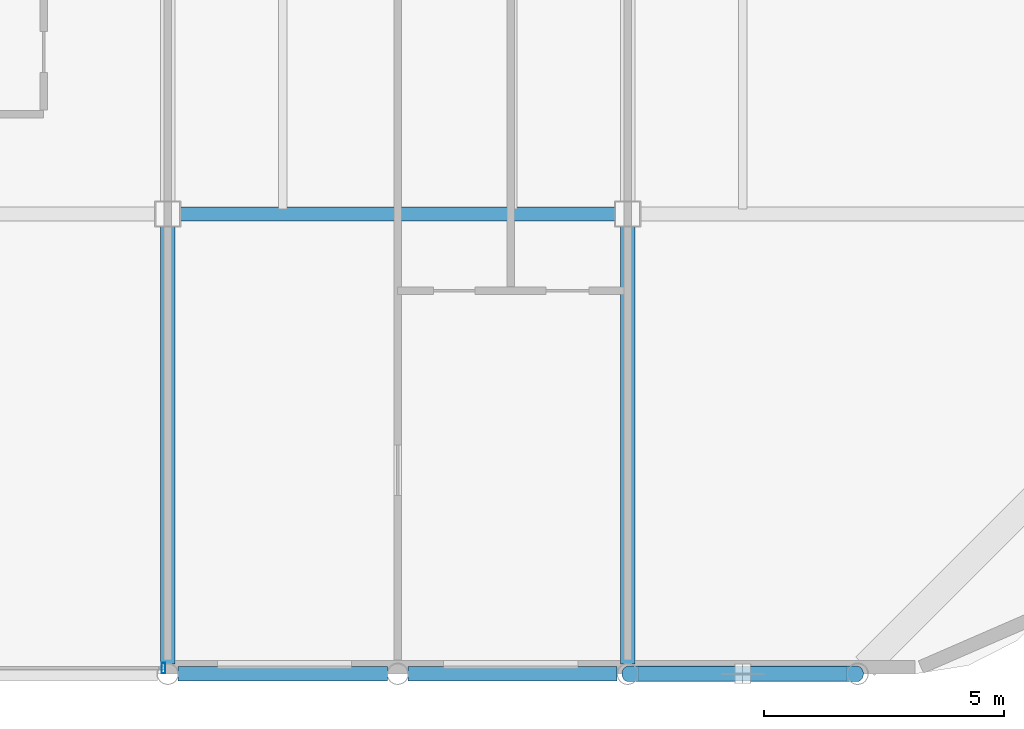
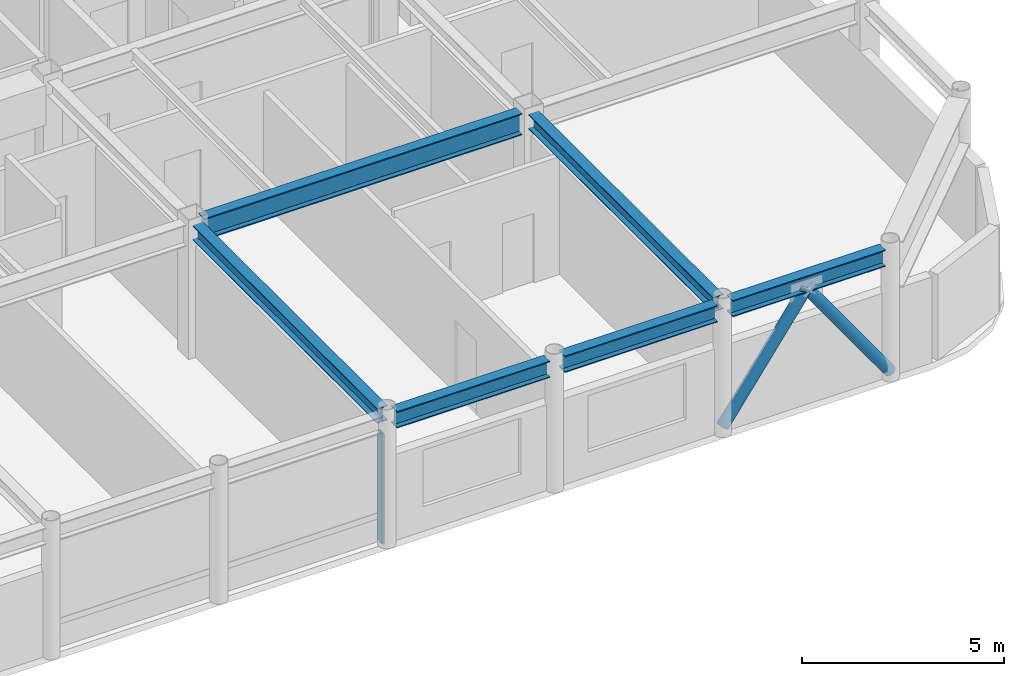
# One storey, part 9 of 21: 6 beams, 3 members, 1 element without a shape of its own.
"""IFC4 building model written with IfcOpenShell, lengths in metres."""

from ifc_helpers import new_model, si_unit, direction, frame, origin, origin_2d, place, context, subcontext, project, spatial, hollow_rectangle, hollow_circle, i_section, extrude, material, layer, layer_set, material_profile, profile_set, type_object, element, aggregate, save


model = new_model("IFC4")

# Units and contexts
model_context = context("Model", 3, precision=1e-05, world=origin(), true_north=direction((0.0, 1.0)))
body_context = subcontext(model_context, "Body", "Model", "MODEL_VIEW")
ifc_project = project(units=[si_unit("LENGTHUNIT", "METRE"), si_unit("AREAUNIT", "SQUARE_METRE"), si_unit("VOLUMEUNIT", "CUBIC_METRE"), si_unit("PLANEANGLEUNIT", "RADIAN"), si_unit("MASSUNIT", "GRAM", prefix="KILO")], contexts=[model_context])

# Site, building, storey
site_placement = place(None, origin())
site = spatial("IfcSite", under=ifc_project, at=site_placement, CompositionType="ELEMENT")
building_placement = place(site_placement, origin())
building = spatial("IfcBuilding", under=site, at=building_placement, Name="Kallvorn Hotel Tower", CompositionType="ELEMENT")
storey_placement = place(building_placement, frame((0.0, 0.0, 286.39990234375)))
storey = spatial("IfcBuildingStorey", under=building, at=storey_placement, Name="L71", CompositionType="ELEMENT", Elevation=286.39990234375)

# Beams
ifc_material_1 = material(Name="Structural steel S355JR", Category="steel")
ifc_material_profile_1 = material_profile(ifc_material_1, i_section(OverallWidth=0.300048828125, OverallDepth=0.43994140625, WebThickness=0.011474609375, FlangeThickness=0.02099609375, at=origin_2d()), Name="HE 450 A")
ifc_profile_set_1 = profile_set([ifc_material_profile_1], Name="Structural steel S355JR")
beam_type_1 = type_object("IfcBeamType", Name="BM_HE450A", PredefinedType="BEAM", material=ifc_profile_set_1)
for number, where, z_axis, x_axis, name in (
    (1, (4.800048828125, -23.79638671875, 3.780029296875), (0.0, 1.0, 0.0), (-1.0, 0.0, 0.0), "L72 Primary Y-Girder 40"),
    (2, (14.39990234375, -23.79638671875, 3.780029296875), (0.0, 1.0, 0.0), (-1.0, 0.0, 0.0), "L72 Primary Y-Girder 43"),
):
    element("IfcBeam", number, at=place(storey_placement, frame(where, z_axis=z_axis, x_axis=x_axis)), inside=storey, type_object=beam_type_1, Name=name, PredefinedType="BEAM", context=body_context, shape_type="SweptSolid", body=[
        extrude(i_section(OverallWidth=0.300048828125, OverallDepth=0.43994140625, WebThickness=0.011474609375, FlangeThickness=0.02099609375, at=origin_2d()), origin(), (0.0, 0.0, 1.0), 9.146484375),
    ])
ifc_material_2 = material(Name="Structural steel S355JR", Category="steel")
ifc_material_profile_2 = material_profile(ifc_material_2, i_section(OverallWidth=0.300048828125, OverallDepth=0.5, WebThickness=0.014404296875, FlangeThickness=0.028076171875, at=origin_2d()), Name="HE 500 B")
ifc_profile_set_2 = profile_set([ifc_material_profile_2], Name="Structural steel S355JR")
beam_type_2 = type_object("IfcBeamType", Name="BM_HE500B", PredefinedType="SPANDREL", material=ifc_profile_set_2)
beam_1_placement = place(storey_placement, frame((5.0185546875, -24.0, 3.75), z_axis=(1.0, 0.0, 0.0), x_axis=(0.0, 1.0, 0.0)))
element("IfcBeam", 3, at=beam_1_placement, inside=storey, type_object=beam_type_2, Name="L72 Perimeter Spandrel 60", PredefinedType="SPANDREL", context=body_context, shape_type="SweptSolid", body=[
    extrude(i_section(OverallWidth=0.300048828125, OverallDepth=0.5, WebThickness=0.014404296875, FlangeThickness=0.028076171875, at=origin_2d()), origin(), (0.0, 0.0, 1.0), 4.363037109375),
])
beam_2_placement = place(storey_placement, frame((9.818603515625, -24.0, 3.75), z_axis=(1.0, 0.0, 0.0), x_axis=(0.0, 1.0, 0.0)))
element("IfcBeam", 4, at=beam_2_placement, inside=storey, type_object=beam_type_2, Name="L72 Perimeter Spandrel 61", PredefinedType="SPANDREL", context=body_context, shape_type="SweptSolid", body=[
    extrude(i_section(OverallWidth=0.300048828125, OverallDepth=0.5, WebThickness=0.014404296875, FlangeThickness=0.028076171875, at=origin_2d()), origin(), (0.0, 0.0, 1.0), 4.36279296875),
])
beam_3_placement = place(storey_placement, frame((14.618408203125, -24.0, 3.75), z_axis=(1.0, 0.0, 0.0), x_axis=(0.0, 1.0, 0.0)))
element("IfcBeam", 5, at=beam_3_placement, inside=storey, type_object=beam_type_2, Name="L72 Perimeter Spandrel 62", PredefinedType="SPANDREL", context=body_context, shape_type="SweptSolid", body=[
    extrude(i_section(OverallWidth=0.300048828125, OverallDepth=0.5, WebThickness=0.014404296875, FlangeThickness=0.028076171875, at=origin_2d()), origin(), (0.0, 0.0, 1.0), 4.363037109375),
])
ifc_material_3 = material(Name="Structural steel S355JR", Category="steel")
ifc_material_profile_3 = material_profile(ifc_material_3, i_section(OverallWidth=0.300048828125, OverallDepth=0.64990234375, WebThickness=0.01611328125, FlangeThickness=0.031005859375, at=origin_2d()), Name="HE 650 B")
ifc_profile_set_3 = profile_set([ifc_material_profile_3], Name="Structural steel S355JR")
beam_type_3 = type_object("IfcBeamType", Name="BM_HE650B", PredefinedType="BEAM", material=ifc_profile_set_3)
beam_4_placement = place(storey_placement, frame((5.050048828125, -14.39990234375, 3.675048828125), z_axis=(1.0, 0.0, 0.0), x_axis=(0.0, 1.0, 0.0)))
element("IfcBeam", 6, at=beam_4_placement, inside=storey, type_object=beam_type_3, Name="L72 Primary X-Girder 05", PredefinedType="BEAM", context=body_context, shape_type="SweptSolid", body=[
    extrude(i_section(OverallWidth=0.300048828125, OverallDepth=0.64990234375, WebThickness=0.01611328125, FlangeThickness=0.031005859375, at=origin_2d()), origin(), (0.0, 0.0, 1.0), 9.099853515625),
])

# Curtain wall, member
ifc_material_4 = material(Name="Thermally broken black-anodised aluminium AA 6063-T6", Category="aluminium")
ifc_layer = layer(ifc_material_4, 0.25)
ifc_layer_set = layer_set([ifc_layer], Name="CW_SYS_6_SUMMIT_OBS")
curtain_wall_type = type_object("IfcCurtainWallType", Name="CW_SYS_6_SUMMIT_OBS", PredefinedType="USERDEFINED", material=ifc_layer_set)
curtain_wall_placement = place(storey_placement, origin())
curtain_wall = element("IfcCurtainWall", 7, at=curtain_wall_placement, inside=storey, type_object=curtain_wall_type, Name="L71 Dark-Glass Curtain Wall CW-L71-SC", ObjectType="UNITISED CURTAIN WALL", PredefinedType="USERDEFINED")
ifc_material_5 = material(Name="Thermally broken black-anodised aluminium AA 6063-T6", Category="aluminium")
ifc_material_profile_4 = material_profile(ifc_material_5, hollow_rectangle(XDim=0.080078125, YDim=0.219970703125, WallThickness=0.0048828125, at=origin_2d()), Name="MUL 220x80")
ifc_profile_set_4 = profile_set([ifc_material_profile_4], Name="Thermally broken black-anodised aluminium AA 6063-T6")
member_type_1 = type_object("IfcMemberType", Name="CW_MULLION_220x80", PredefinedType="MULLION", material=ifc_profile_set_4)
member_placement = place(storey_placement, frame((4.7099609375, -23.8798828125, 0.02001953125), z_axis=(0.0, 0.0, 1.0), x_axis=(1.0, 0.0, 0.0)))
member = element("IfcMember", 8, at=member_placement, type_object=member_type_1, Name="CW-L71-SC Mullion 02", PredefinedType="MULLION", context=body_context, shape_type="SweptSolid", body=[
    extrude(hollow_rectangle(XDim=0.080078125, YDim=0.219970703125, WallThickness=0.0048828125, at=origin_2d()), origin(), (0.0, 0.0, 1.0), 3.31005859375),
])
aggregate(curtain_wall, [member])

# Members
ifc_material_6 = material(Name="Structural steel S355J2H", Category="steel")
ifc_material_profile_5 = material_profile(ifc_material_6, hollow_circle(Radius=0.161865234375, WallThickness=0.012451171875, at=origin_2d()), Name="CHS 323.9x12.5")
ifc_profile_set_5 = profile_set([ifc_material_profile_5], Name="Structural steel S355J2H")
member_type_2 = type_object("IfcMemberType", Name="MBR_EXO_CHS323", PredefinedType="BRACE", material=ifc_profile_set_5)
for number, where, z_axis, x_axis, name in (
    (9, (14.41162109375, -24.0, 0.1962890625), (0.581238193719, 0.0, 0.813733471207), (0.0, 1.0, 0.0), "L71 Exoskeleton K-Brace S2A"),
    (10, (19.1884765625, -24.0, 0.1962890625), (-0.581277726734, 0.0, 0.813705231888), (0.0, -1.0, 0.0), "L71 Exoskeleton K-Brace S2B"),
):
    element("IfcMember", number, at=place(storey_placement, frame(where, z_axis=z_axis, x_axis=x_axis)), inside=storey, type_object=member_type_2, Name=name, PredefinedType="BRACE", context=body_context, shape_type="SweptSolid", body=[
        extrude(hollow_circle(Radius=0.161865234375, WallThickness=0.012451171875, at=origin_2d()), origin(), (0.0, 0.0, 1.0), 4.089111328125),
    ])

save(model, "model.ifc")
